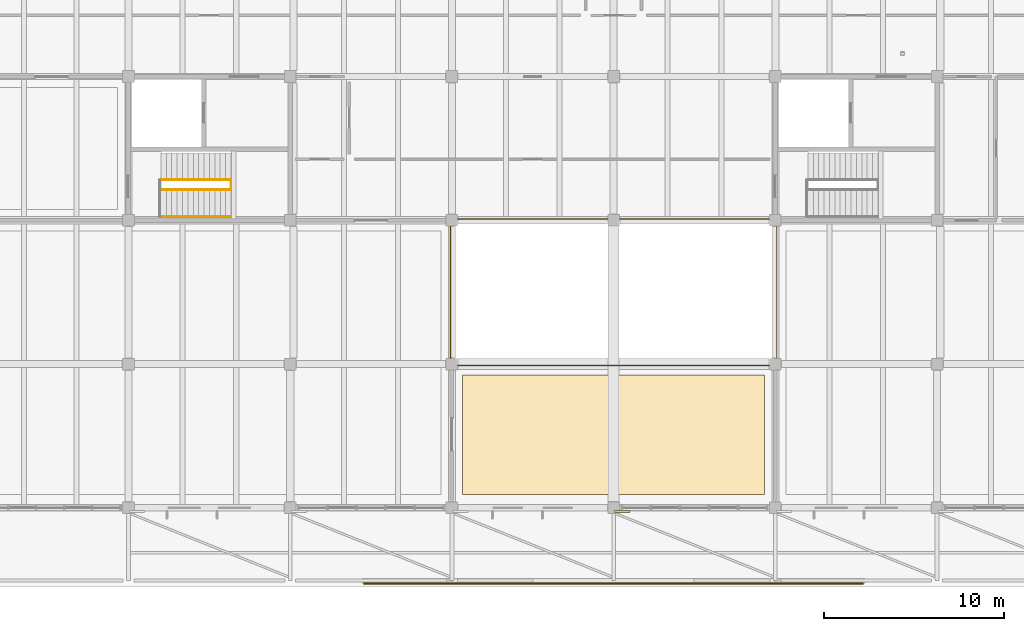
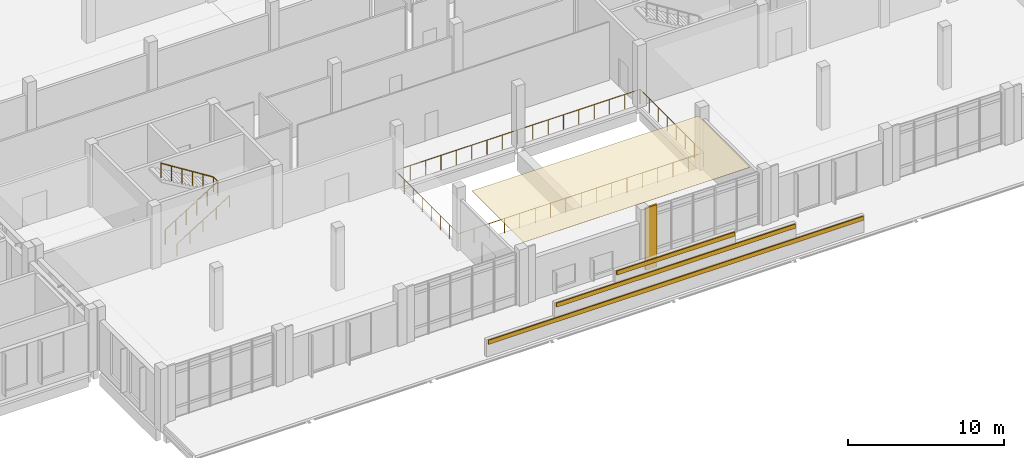
# One storey, part 103 of 110: 5 coverings, 5 railings.
"""IFC4 building model written with IfcOpenShell, lengths in metres."""

from ifc_helpers import new_model, si_unit, direction, frame, origin, origin_2d, place, context, subcontext, project, spatial, polyline, rectangle, circle, outline, extrude, material, layer, layer_set, type_object, element, save


model = new_model("IFC4")

# Units and contexts
model_context = context("Model", 3, precision=1e-05, world=origin(), true_north=direction((0.0, 1.0)))
body_context = subcontext(model_context, "Body", "Model", "MODEL_VIEW")
ifc_project = project(units=[si_unit("LENGTHUNIT", "METRE"), si_unit("AREAUNIT", "SQUARE_METRE"), si_unit("VOLUMEUNIT", "CUBIC_METRE"), si_unit("PLANEANGLEUNIT", "RADIAN"), si_unit("MASSUNIT", "GRAM", prefix="KILO")], contexts=[model_context])

# Site, building, storey
site_placement = place(None, origin())
site = spatial("IfcSite", under=ifc_project, at=site_placement, CompositionType="ELEMENT")
building_placement = place(site_placement, origin())
building = spatial("IfcBuilding", under=site, at=building_placement, Name="Zacnel Wholesale Market", CompositionType="ELEMENT")
storey_placement = place(building_placement, frame((0.0, 0.0, 6.300048828125)))
storey = spatial("IfcBuildingStorey", under=building, at=storey_placement, Name="L02", CompositionType="ELEMENT", Elevation=6.300048828125)

# Coverings
ifc_material_1 = material(Name="Micro-perforated acoustic gypsum ceiling")
ifc_layer_1 = layer(ifc_material_1, 0.02001953125)
ifc_layer_set_1 = layer_set([ifc_layer_1], Name="Micro-perforated acoustic gypsum ceiling")
covering_type_1 = type_object("IfcCoveringType", Name="COV-CEIL-AC-20", PredefinedType="CEILING", material=ifc_layer_set_1)
covering_1_placement = place(storey_placement, frame((0.0, 0.0, 4.5400390625)))
element("IfcCovering", 1, at=covering_1_placement, inside=storey, type_object=covering_type_1, Name="Acoustic ceiling L02-504", PredefinedType="CEILING", context=body_context, shape_type="SweptSolid", body=[
    extrude(outline(polyline([(171.60009765625, 0.75), (188.39990234375, 0.75), (188.39990234375, 7.39990234375), (171.60009765625, 7.39990234375), (171.60009765625, 0.75)])), origin(), (0.0, 0.0, 1.0), 0.02001953125),
])
ifc_material_2 = material(Name="Honed Yucatan Maya cream limestone", Category="masonry")
ifc_layer_2 = layer(ifc_material_2, 0.090087890625)
ifc_layer_set_2 = layer_set([ifc_layer_2], Name="Honed Yucatan Maya cream limestone")
covering_type_2 = type_object("IfcCoveringType", Name="COV-CLAD-FRET", PredefinedType="CLADDING", material=ifc_layer_set_2)
covering_2_placement = place(storey_placement, frame((180.47998046875, -0.2099609375, 0.02001953125), z_axis=(0.0, 0.0, 1.0), x_axis=(1.0, 0.0, 0.0)))
element("IfcCovering", 2, at=covering_2_placement, inside=storey, type_object=covering_type_2, Name="Fluted Mayan-Deco limestone pilaster L02-0130", PredefinedType="CLADDING", context=body_context, shape_type="SweptSolid", body=[
    extrude(rectangle(XDim=0.85009765625, YDim=0.1201171875, at=origin_2d()), origin(), (0.0, 0.0, 1.0), 4.860107421875),
])
covering_3_placement = place(storey_placement, frame((180.0, -4.215087890625, 1.509765625), z_axis=(0.0, 0.0, 1.0), x_axis=(1.0, 0.0, 0.0)))
element("IfcCovering", 3, at=covering_3_placement, inside=storey, type_object=covering_type_2, Name="Mayan greca stone relief ENV-CRN-V5CAN-1", PredefinedType="CLADDING", context=body_context, shape_type="SweptSolid", body=[
    extrude(rectangle(XDim=27.800048828125, YDim=0.090087890625, at=origin_2d()), origin(), (0.0, 0.0, 1.0), 0.320068359375),
])
covering_4_placement = place(storey_placement, frame((180.0, -4.215087890625, 2.66015625), z_axis=(0.0, 0.0, 1.0), x_axis=(1.0, 0.0, 0.0)))
element("IfcCovering", 4, at=covering_4_placement, inside=storey, type_object=covering_type_2, Name="Mayan greca stone relief ENV-CRN-V5CAN-2", PredefinedType="CLADDING", context=body_context, shape_type="SweptSolid", body=[
    extrude(rectangle(XDim=17.719970703125, YDim=0.090087890625, at=origin_2d()), origin(), (0.0, 0.0, 1.0), 0.320068359375),
])
covering_5_placement = place(storey_placement, frame((180.0, -4.215087890625, 3.60986328125), z_axis=(0.0, 0.0, 1.0), x_axis=(1.0, 0.0, 0.0)))
element("IfcCovering", 5, at=covering_5_placement, inside=storey, type_object=covering_type_2, Name="Mayan greca stone relief ENV-CRN-V5CAN-3", PredefinedType="CLADDING", context=body_context, shape_type="SweptSolid", body=[
    extrude(rectangle(XDim=8.760009765625, YDim=0.090087890625, at=origin_2d()), origin(), (0.0, 0.0, 1.0), 0.320068359375),
])

# Railings
ifc_material_3 = material(Name="Galvanized steel", Category="steel")
railing_type_1 = type_object("IfcRailingType", Name="RAL-HANDRAIL-920", PredefinedType="HANDRAIL", material=ifc_material_3)
railing_1_placement = place(storey_placement, frame((154.81005859375, 16.2099609375, 0.0)))
element("IfcRailing", 6, at=railing_1_placement, inside=storey, type_object=railing_type_1, Name="Stair ST-02 wall handrail", PredefinedType="HANDRAIL", context=body_context, shape_type="SweptSolid", body=[
    extrude(circle(Radius=0.02099609375, at=origin_2d()), frame((0.0, 0.0, 0.89892578125), z_axis=(0.846775046443, 0.0, 0.531951145052), x_axis=(0.0, 1.0, 0.0)), (0.0, 0.0, 1.0), 4.605712890625),
    extrude(circle(Radius=0.01806640625, at=origin_2d()), origin(), (0.0, 0.0, 1.0), 0.8779296875),
    extrude(circle(Radius=0.01806640625, at=origin_2d()), frame((0.97509765625, 0.0, 0.612548828125)), (0.0, 0.0, 1.0), 0.8779296875),
    extrude(circle(Radius=0.01806640625, at=origin_2d()), frame((1.949951171875, 0.0, 1.22509765625)), (0.0, 0.0, 1.0), 0.8779296875),
    extrude(circle(Radius=0.01806640625, at=origin_2d()), frame((2.9248046875, 0.0, 1.83740234375)), (0.0, 0.0, 1.0), 0.8779296875),
    extrude(circle(Radius=0.01806640625, at=origin_2d()), frame((3.89990234375, 0.0, 2.449951171875)), (0.0, 0.0, 1.0), 0.8779296875),
])
ifc_material_4 = material(Name="Galvanized steel", Category="steel")
railing_type_2 = type_object("IfcRailingType", Name="RAL-STAIR-GD1150", PredefinedType="BALUSTRADE", material=ifc_material_4)
railing_2_placement = place(storey_placement, frame((154.81005859375, 17.699951171875, 0.0)))
element("IfcRailing", 7, at=railing_2_placement, inside=storey, type_object=railing_type_2, Name="Stair balustrade INT-STAIR-ST-02-GDIN-1", PredefinedType="BALUSTRADE", context=body_context, shape_type="SweptSolid", body=[
    extrude(circle(Radius=0.02392578125, at=origin_2d()), frame((0.0, 0.0, 1.1259765625), z_axis=(0.846775046443, 0.0, 0.531951145052), x_axis=(0.0, 1.0, 0.0)), (0.0, 0.0, 1.0), 4.605712890625),
    extrude(circle(Radius=0.02099609375, at=origin_2d()), origin(), (0.0, 0.0, 1.0), 1.101806640625),
    extrude(circle(Radius=0.02099609375, at=origin_2d()), frame((0.780029296875, 0.0, 0.489990234375)), (0.0, 0.0, 1.0), 1.101806640625),
    extrude(circle(Radius=0.02099609375, at=origin_2d()), frame((1.56005859375, 0.0, 0.97998046875)), (0.0, 0.0, 1.0), 1.101806640625),
    extrude(circle(Radius=0.02099609375, at=origin_2d()), frame((2.33984375, 0.0, 1.469970703125)), (0.0, 0.0, 1.0), 1.101806640625),
    extrude(circle(Radius=0.02099609375, at=origin_2d()), frame((3.119873046875, 0.0, 1.9599609375)), (0.0, 0.0, 1.0), 1.101806640625),
    extrude(circle(Radius=0.02099609375, at=origin_2d()), frame((3.89990234375, 0.0, 2.449951171875)), (0.0, 0.0, 1.0), 1.101806640625),
])
railing_3_placement = place(storey_placement, frame((158.7099609375, 17.699951171875, 2.449951171875)))
element("IfcRailing", 8, at=railing_3_placement, inside=storey, type_object=railing_type_2, Name="Stair balustrade INT-STAIR-ST-02-GDIN-2", PredefinedType="BALUSTRADE", context=body_context, shape_type="SweptSolid", body=[
    extrude(circle(Radius=0.02392578125, at=origin_2d()), frame((0.0, 0.0, 1.1259765625), z_axis=(0.0, 1.0, 0.0), x_axis=(-1.0, 0.0, 0.0)), (0.0, 0.0, 1.0), 0.550048828125),
    extrude(circle(Radius=0.02099609375, at=origin_2d()), origin(), (0.0, 0.0, 1.0), 1.101806640625),
    extrude(circle(Radius=0.02099609375, at=origin_2d()), frame((0.0, 0.550048828125, 0.0)), (0.0, 0.0, 1.0), 1.101806640625),
])
railing_4_placement = place(storey_placement, frame((158.7099609375, 18.25, 2.449951171875)))
element("IfcRailing", 9, at=railing_4_placement, inside=storey, type_object=railing_type_2, Name="Stair balustrade INT-STAIR-ST-02-GDIN-3", PredefinedType="BALUSTRADE", context=body_context, shape_type="SweptSolid", body=[
    extrude(circle(Radius=0.02392578125, at=origin_2d()), frame((0.0, 0.0, 1.1259765625), z_axis=(-0.846775046443, 0.0, 0.531951145052), x_axis=(0.0, -1.0, 0.0)), (0.0, 0.0, 1.0), 4.605712890625),
    extrude(circle(Radius=0.02099609375, at=origin_2d()), origin(), (0.0, 0.0, 1.0), 1.101806640625),
    extrude(circle(Radius=0.02099609375, at=origin_2d()), frame((-0.780029296875, 0.0, 0.489990234375)), (0.0, 0.0, 1.0), 1.101806640625),
    extrude(circle(Radius=0.02099609375, at=origin_2d()), frame((-1.56005859375, 0.0, 0.97998046875)), (0.0, 0.0, 1.0), 1.101806640625),
    extrude(circle(Radius=0.02099609375, at=origin_2d()), frame((-2.33984375, 0.0, 1.469970703125)), (0.0, 0.0, 1.0), 1.101806640625),
    extrude(circle(Radius=0.02099609375, at=origin_2d()), frame((-3.119873046875, 0.0, 1.9599609375)), (0.0, 0.0, 1.0), 1.101806640625),
    extrude(circle(Radius=0.02099609375, at=origin_2d()), frame((-3.89990234375, 0.0, 2.449951171875)), (0.0, 0.0, 1.0), 1.101806640625),
])
ifc_material_5 = material(Name="Steel S355", Category="steel")
ifc_layer_3 = layer(ifc_material_5, 0.080078125)
ifc_layer_set_3 = layer_set([ifc_layer_3], Name="Steel S355")
railing_type_3 = type_object("IfcRailingType", Name="RL-BAL-1150", PredefinedType="BALUSTRADE", material=ifc_layer_set_3)
railing_5_placement = place(storey_placement, frame((170.919921875, 7.919921875, 0.0)))
element("IfcRailing", 10, at=railing_5_placement, inside=storey, type_object=railing_type_3, Name="Terrace safety balustrade GD-L02-ATR-V5", PredefinedType="BALUSTRADE", context=body_context, shape_type="SweptSolid", body=[
    extrude(circle(Radius=0.02392578125, at=origin_2d()), frame((0.0, 0.0, 1.1259765625), z_axis=(1.0, 0.0, 0.0), x_axis=(0.0, 1.0, 0.0)), (0.0, 0.0, 1.0), 18.16015625),
    extrude(circle(Radius=0.02392578125, at=origin_2d()), frame((18.16015625, 0.0, 1.1259765625), z_axis=(0.0, 1.0, 0.0), x_axis=(-1.0, 0.0, 0.0)), (0.0, 0.0, 1.0), 8.16015625),
    extrude(circle(Radius=0.02392578125, at=origin_2d()), frame((18.16015625, 8.16015625, 1.1259765625), z_axis=(-1.0, 0.0, 0.0), x_axis=(0.0, -1.0, 0.0)), (0.0, 0.0, 1.0), 18.16015625),
    extrude(circle(Radius=0.02392578125, at=origin_2d()), frame((0.0, 8.16015625, 1.1259765625), z_axis=(0.0, -1.0, 0.0), x_axis=(1.0, 0.0, 0.0)), (0.0, 0.0, 1.0), 8.16015625),
    extrude(circle(Radius=0.02099609375, at=origin_2d()), origin(), (0.0, 0.0, 1.0), 1.101806640625),
    extrude(circle(Radius=0.02099609375, at=origin_2d()), frame((1.135009765625, 0.0, 0.0)), (0.0, 0.0, 1.0), 1.101806640625),
    extrude(circle(Radius=0.02099609375, at=origin_2d()), frame((2.27001953125, 0.0, 0.0)), (0.0, 0.0, 1.0), 1.101806640625),
    extrude(circle(Radius=0.02099609375, at=origin_2d()), frame((3.405029296875, 0.0, 0.0)), (0.0, 0.0, 1.0), 1.101806640625),
    extrude(circle(Radius=0.02099609375, at=origin_2d()), frame((4.5400390625, 0.0, 0.0)), (0.0, 0.0, 1.0), 1.101806640625),
    extrude(circle(Radius=0.02099609375, at=origin_2d()), frame((5.675048828125, 0.0, 0.0)), (0.0, 0.0, 1.0), 1.101806640625),
    extrude(circle(Radius=0.02099609375, at=origin_2d()), frame((6.81005859375, 0.0, 0.0)), (0.0, 0.0, 1.0), 1.101806640625),
    extrude(circle(Radius=0.02099609375, at=origin_2d()), frame((7.945068359375, 0.0, 0.0)), (0.0, 0.0, 1.0), 1.101806640625),
    extrude(circle(Radius=0.02099609375, at=origin_2d()), frame((9.080078125, 0.0, 0.0)), (0.0, 0.0, 1.0), 1.101806640625),
    extrude(circle(Radius=0.02099609375, at=origin_2d()), frame((10.215087890625, 0.0, 0.0)), (0.0, 0.0, 1.0), 1.101806640625),
    extrude(circle(Radius=0.02099609375, at=origin_2d()), frame((11.35009765625, 0.0, 0.0)), (0.0, 0.0, 1.0), 1.101806640625),
    extrude(circle(Radius=0.02099609375, at=origin_2d()), frame((12.485107421875, 0.0, 0.0)), (0.0, 0.0, 1.0), 1.101806640625),
    extrude(circle(Radius=0.02099609375, at=origin_2d()), frame((13.6201171875, 0.0, 0.0)), (0.0, 0.0, 1.0), 1.101806640625),
    extrude(circle(Radius=0.02099609375, at=origin_2d()), frame((14.755126953125, 0.0, 0.0)), (0.0, 0.0, 1.0), 1.101806640625),
    extrude(circle(Radius=0.02099609375, at=origin_2d()), frame((15.89013671875, 0.0, 0.0)), (0.0, 0.0, 1.0), 1.101806640625),
    extrude(circle(Radius=0.02099609375, at=origin_2d()), frame((17.025146484375, 0.0, 0.0)), (0.0, 0.0, 1.0), 1.101806640625),
    extrude(circle(Radius=0.02099609375, at=origin_2d()), frame((18.16015625, 0.0, 0.0)), (0.0, 0.0, 1.0), 1.101806640625),
    extrude(circle(Radius=0.02099609375, at=origin_2d()), frame((18.16015625, 1.165771484375, 0.0)), (0.0, 0.0, 1.0), 1.101806640625),
    extrude(circle(Radius=0.02099609375, at=origin_2d()), frame((18.16015625, 2.33154296875, 0.0)), (0.0, 0.0, 1.0), 1.101806640625),
    extrude(circle(Radius=0.02099609375, at=origin_2d()), frame((18.16015625, 3.497314453125, 0.0)), (0.0, 0.0, 1.0), 1.101806640625),
    extrude(circle(Radius=0.02099609375, at=origin_2d()), frame((18.16015625, 4.662841796875, 0.0)), (0.0, 0.0, 1.0), 1.101806640625),
    extrude(circle(Radius=0.02099609375, at=origin_2d()), frame((18.16015625, 5.82861328125, 0.0)), (0.0, 0.0, 1.0), 1.101806640625),
    extrude(circle(Radius=0.02099609375, at=origin_2d()), frame((18.16015625, 6.994384765625, 0.0)), (0.0, 0.0, 1.0), 1.101806640625),
    extrude(circle(Radius=0.02099609375, at=origin_2d()), frame((18.16015625, 8.16015625, 0.0)), (0.0, 0.0, 1.0), 1.101806640625),
    extrude(circle(Radius=0.02099609375, at=origin_2d()), frame((17.025146484375, 8.16015625, 0.0)), (0.0, 0.0, 1.0), 1.101806640625),
    extrude(circle(Radius=0.02099609375, at=origin_2d()), frame((15.89013671875, 8.16015625, 0.0)), (0.0, 0.0, 1.0), 1.101806640625),
    extrude(circle(Radius=0.02099609375, at=origin_2d()), frame((14.755126953125, 8.16015625, 0.0)), (0.0, 0.0, 1.0), 1.101806640625),
    extrude(circle(Radius=0.02099609375, at=origin_2d()), frame((13.6201171875, 8.16015625, 0.0)), (0.0, 0.0, 1.0), 1.101806640625),
    extrude(circle(Radius=0.02099609375, at=origin_2d()), frame((12.485107421875, 8.16015625, 0.0)), (0.0, 0.0, 1.0), 1.101806640625),
    extrude(circle(Radius=0.02099609375, at=origin_2d()), frame((11.35009765625, 8.16015625, 0.0)), (0.0, 0.0, 1.0), 1.101806640625),
    extrude(circle(Radius=0.02099609375, at=origin_2d()), frame((10.215087890625, 8.16015625, 0.0)), (0.0, 0.0, 1.0), 1.101806640625),
    extrude(circle(Radius=0.02099609375, at=origin_2d()), frame((9.080078125, 8.16015625, 0.0)), (0.0, 0.0, 1.0), 1.101806640625),
    extrude(circle(Radius=0.02099609375, at=origin_2d()), frame((7.945068359375, 8.16015625, 0.0)), (0.0, 0.0, 1.0), 1.101806640625),
    extrude(circle(Radius=0.02099609375, at=origin_2d()), frame((6.81005859375, 8.16015625, 0.0)), (0.0, 0.0, 1.0), 1.101806640625),
    extrude(circle(Radius=0.02099609375, at=origin_2d()), frame((5.675048828125, 8.16015625, 0.0)), (0.0, 0.0, 1.0), 1.101806640625),
    extrude(circle(Radius=0.02099609375, at=origin_2d()), frame((4.5400390625, 8.16015625, 0.0)), (0.0, 0.0, 1.0), 1.101806640625),
    extrude(circle(Radius=0.02099609375, at=origin_2d()), frame((3.405029296875, 8.16015625, 0.0)), (0.0, 0.0, 1.0), 1.101806640625),
    extrude(circle(Radius=0.02099609375, at=origin_2d()), frame((2.27001953125, 8.16015625, 0.0)), (0.0, 0.0, 1.0), 1.101806640625),
    extrude(circle(Radius=0.02099609375, at=origin_2d()), frame((1.135009765625, 8.16015625, 0.0)), (0.0, 0.0, 1.0), 1.101806640625),
    extrude(circle(Radius=0.02099609375, at=origin_2d()), frame((0.0, 8.16015625, 0.0)), (0.0, 0.0, 1.0), 1.101806640625),
    extrude(circle(Radius=0.02099609375, at=origin_2d()), frame((0.0, 6.994384765625, 0.0)), (0.0, 0.0, 1.0), 1.101806640625),
    extrude(circle(Radius=0.02099609375, at=origin_2d()), frame((0.0, 5.82861328125, 0.0)), (0.0, 0.0, 1.0), 1.101806640625),
    extrude(circle(Radius=0.02099609375, at=origin_2d()), frame((0.0, 4.662841796875, 0.0)), (0.0, 0.0, 1.0), 1.101806640625),
    extrude(circle(Radius=0.02099609375, at=origin_2d()), frame((0.0, 3.497314453125, 0.0)), (0.0, 0.0, 1.0), 1.101806640625),
    extrude(circle(Radius=0.02099609375, at=origin_2d()), frame((0.0, 2.33154296875, 0.0)), (0.0, 0.0, 1.0), 1.101806640625),
    extrude(circle(Radius=0.02099609375, at=origin_2d()), frame((0.0, 1.165771484375, 0.0)), (0.0, 0.0, 1.0), 1.101806640625),
])

save(model, "model.ifc")
